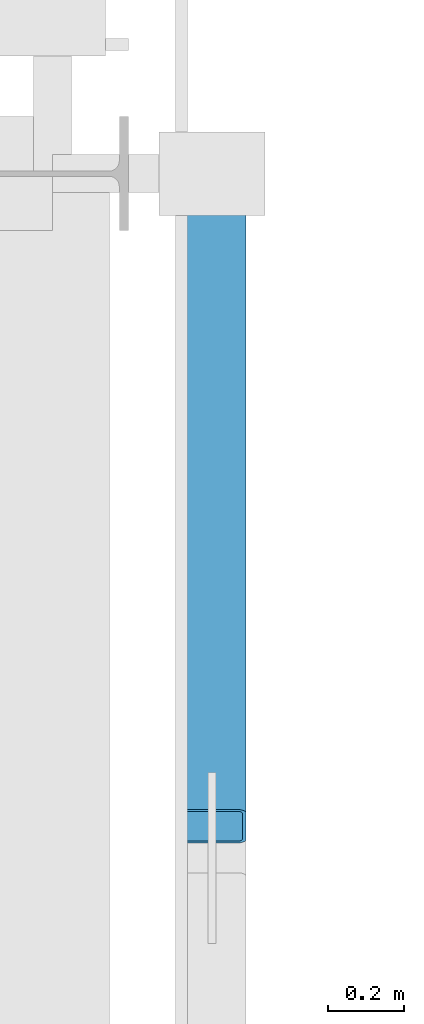
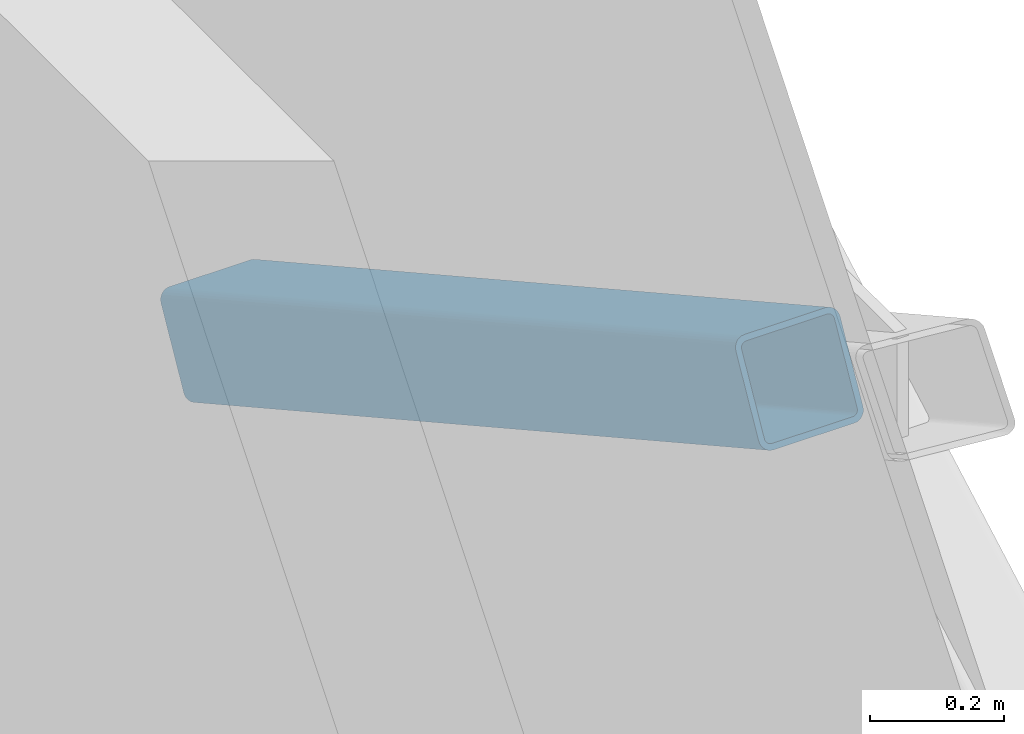
# One storey, part 56 of 126: 1 member.
"""IFC4 building model written with IfcOpenShell, lengths in metres."""

from ifc_helpers import new_model, si_unit, direction, frame, origin, origin_2d, place, context, subcontext, project, spatial, hollow_rectangle, extrude, material, material_profile, profile_set, type_object, element, save


model = new_model("IFC4")

# Units and contexts
model_context = context("Model", 3, precision=1e-05, world=origin(), true_north=direction((0.0, 1.0)))
body_context = subcontext(model_context, "Body", "Model", "MODEL_VIEW")
ifc_project = project(units=[si_unit("LENGTHUNIT", "METRE"), si_unit("AREAUNIT", "SQUARE_METRE"), si_unit("VOLUMEUNIT", "CUBIC_METRE"), si_unit("PLANEANGLEUNIT", "RADIAN"), si_unit("MASSUNIT", "GRAM", prefix="KILO")], contexts=[model_context])

# Site, building, storey
site_placement = place(None, origin())
site = spatial("IfcSite", under=ifc_project, at=site_placement, CompositionType="ELEMENT")
building_placement = place(site_placement, origin())
building = spatial("IfcBuilding", under=site, at=building_placement, Name="Zlatovets Crest Museum", CompositionType="ELEMENT")
storey_placement = place(building_placement, frame((0.0, 0.0, 8.699951171875)))
storey = spatial("IfcBuildingStorey", under=building, at=storey_placement, Name="L02", CompositionType="ELEMENT", Elevation=8.699951171875)

# Member
ifc_material = material(Name="Weathering bronze-steel S355J2W", Category="steel")
ifc_material_profile = material_profile(ifc_material, hollow_rectangle(XDim=0.179931640625, YDim=0.179931640625, WallThickness=0.010009765625, InnerFilletRadius=0.010009765625, OuterFilletRadius=0.02001953125, at=origin_2d()), Name="SHS 180x180x10.0")
ifc_profile_set = profile_set([ifc_material_profile], Name="Weathering bronze-steel S355J2W")
member_type = type_object("IfcMemberType", Name="Lattice_XL-01", PredefinedType="BRACE", material=ifc_profile_set)
member_placement = place(storey_placement, frame((108.419921875, 113.48291015625, 3.053955078125), z_axis=(0.0, 0.874169001841, -0.485621824284), x_axis=(-1.0, 0.0, 0.0)))
element("IfcMember", 1, at=member_placement, inside=storey, type_object=member_type, Name="Split Crossing Bronze Lattice Diagonal Lower", PredefinedType="BRACE", context=body_context, shape_type="SweptSolid", body=[
    extrude(hollow_rectangle(XDim=0.179931640625, YDim=0.179931640625, WallThickness=0.010009765625, InnerFilletRadius=0.010009765625, OuterFilletRadius=0.02001953125, at=origin_2d()), origin(), (0.0, 0.0, 1.0), 1.964111328125),
])

save(model, "model.ifc")
